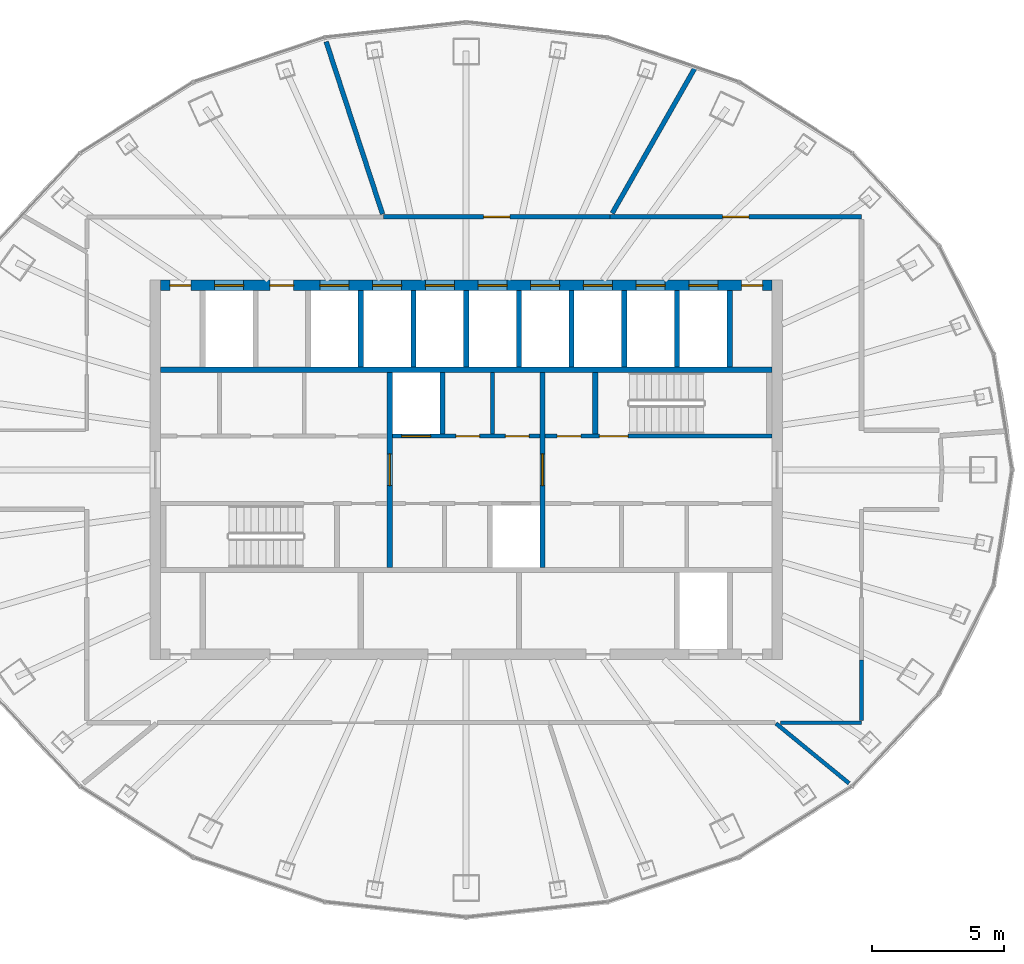
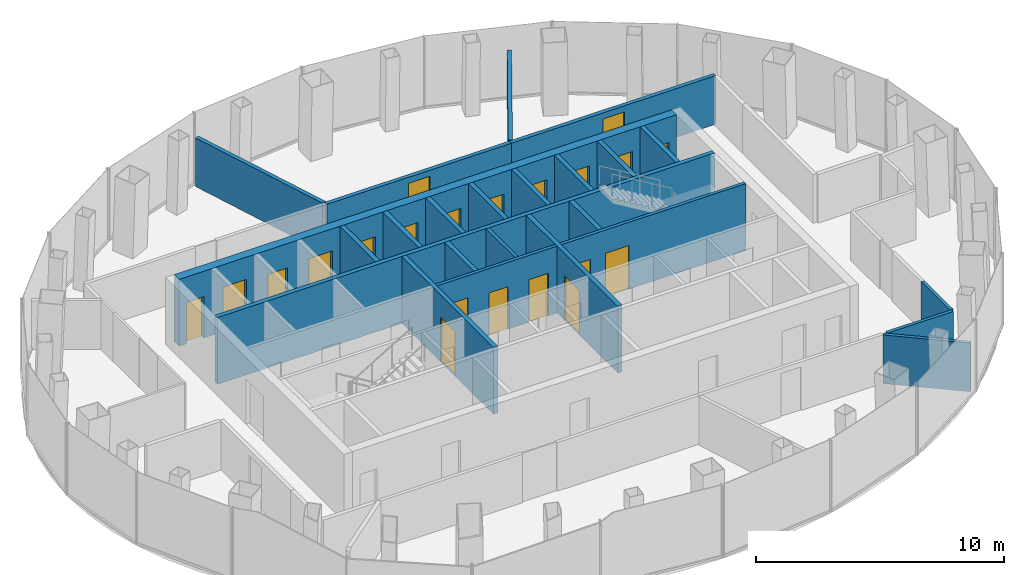
# One storey, part 9 of 11: 24 walls, 21 doors, 21 openings.
"""IFC4 building model written with IfcOpenShell, lengths in metres."""

from ifc_helpers import new_model, si_unit, direction, frame, frame_2d, origin, place, context, subcontext, project, spatial, rectangle, extrude, material, layer, layer_set, type_object, element, fill, save


model = new_model("IFC4")

# Units and contexts
model_context = context("Model", 3, precision=1e-05, world=origin(), true_north=direction((0.0, 1.0)))
body_context = subcontext(model_context, "Body", "Model", "MODEL_VIEW")
ifc_project = project(units=[si_unit("LENGTHUNIT", "METRE"), si_unit("AREAUNIT", "SQUARE_METRE"), si_unit("VOLUMEUNIT", "CUBIC_METRE"), si_unit("PLANEANGLEUNIT", "RADIAN"), si_unit("MASSUNIT", "GRAM", prefix="KILO")], contexts=[model_context])

# Site, building, storey
site_placement = place(None, origin())
site = spatial("IfcSite", under=ifc_project, at=site_placement, CompositionType="ELEMENT")
building_placement = place(site_placement, origin())
building = spatial("IfcBuilding", under=site, at=building_placement, Name="Siaravel Broadcast Tower", CompositionType="ELEMENT")
storey_placement = place(building_placement, frame((0.0, 0.0, 254.10009765625)))
storey = spatial("IfcBuildingStorey", under=building, at=storey_placement, Name="L62", CompositionType="ELEMENT", Elevation=254.10009765625)

# Wall
ifc_material_1 = material(Name="Concrete blockwork", Category="masonry")
ifc_layer_1 = layer(ifc_material_1, 0.14990234375)
ifc_layer_set_1 = layer_set([ifc_layer_1], Name="Concrete blockwork")
wall_type_1 = type_object("IfcWallType", Name="Core partition 150", PredefinedType="PARTITIONING", material=ifc_layer_set_1)
wall_1_placement = place(storey_placement, frame((1.0, 1.35009765625, 0.0), z_axis=(0.0, 0.0, 1.0), x_axis=(0.0, 1.0, 0.0)))
element("IfcWall", 1, at=wall_1_placement, inside=storey, type_object=wall_type_1, Name="L62 core partition PNM0", PredefinedType="PARTITIONING", context=body_context, shape_type="SweptSolid", body=[
    extrude(rectangle(XDim=2.349853515625, YDim=0.14990234375, at=frame_2d((1.1748046875, 0.0))), origin(), (0.0, 0.0, 1.0), 3.2998046875),
])

# Wall, openings, doors
ifc_material_2 = material(Name="Concrete C60/75", Category="concrete")
ifc_layer_2 = layer(ifc_material_2, 0.39990234375)
ifc_layer_set_2 = layer_set([ifc_layer_2], Name="Concrete C60/75")
wall_type_2 = type_object("IfcWallType", Name="Core wall 400", PredefinedType="SHEAR", material=ifc_layer_set_2)
wall_2_placement = place(storey_placement, frame((-11.60009765625, 7.0, 0.0), z_axis=(0.0, 0.0, 1.0), x_axis=(1.0, 0.0, 0.0)))
wall_2 = element("IfcWall", 2, at=wall_2_placement, inside=storey, type_object=wall_type_2, Name="L62 core wall ON", PredefinedType="SHEAR", context=body_context, shape_type="SweptSolid", body=[
    extrude(rectangle(XDim=23.2001953125, YDim=0.39990234375, at=frame_2d((11.60009765625, 0.0))), origin(), (0.0, 0.0, 1.0), 3.2998046875),
])
opening_1_placement = place(wall_2_placement, frame((2.050048828125, 0.0, 0.0)))
opening_1 = element("IfcOpeningElement", 3, at=opening_1_placement, cuts=wall_2, Name="Opening LD-SV2-L62", PredefinedType="OPENING", context=body_context, shape_type="SweptSolid", body=[
    extrude(rectangle(XDim=1.10009765625, YDim=2.199951171875, at=frame_2d((0.550048828125, 1.10009765625))), frame((0.0, 0.2099609375, 0.0), z_axis=(0.0, -1.0, 0.0), x_axis=(1.0, 0.0, 0.0)), (0.0, 0.0, 1.0), 0.419921875),
])
opening_2_placement = place(wall_2_placement, frame((6.050048828125, 0.0, 0.0)))
opening_2 = element("IfcOpeningElement", 4, at=opening_2_placement, cuts=wall_2, Name="Opening LD-HP1-L62", PredefinedType="OPENING", context=body_context, shape_type="SweptSolid", body=[
    extrude(rectangle(XDim=1.10009765625, YDim=2.199951171875, at=frame_2d((0.550048828125, 1.10009765625))), frame((0.0, 0.2099609375, 0.0), z_axis=(0.0, -1.0, 0.0), x_axis=(1.0, 0.0, 0.0)), (0.0, 0.0, 1.0), 0.419921875),
])
opening_3_placement = place(wall_2_placement, frame((8.050048828125, 0.0, 0.0)))
opening_3 = element("IfcOpeningElement", 5, at=opening_3_placement, cuts=wall_2, Name="Opening LD-HP2-L62", PredefinedType="OPENING", context=body_context, shape_type="SweptSolid", body=[
    extrude(rectangle(XDim=1.10009765625, YDim=2.199951171875, at=frame_2d((0.550048828125, 1.10009765625))), frame((0.0, 0.2099609375, 0.0), z_axis=(0.0, -1.0, 0.0), x_axis=(1.0, 0.0, 0.0)), (0.0, 0.0, 1.0), 0.419921875),
])
opening_4_placement = place(wall_2_placement, frame((10.050048828125, 0.0, 0.0)))
opening_4 = element("IfcOpeningElement", 6, at=opening_4_placement, cuts=wall_2, Name="Opening LD-HP3-L62", PredefinedType="OPENING", context=body_context, shape_type="SweptSolid", body=[
    extrude(rectangle(XDim=1.10009765625, YDim=2.199951171875, at=frame_2d((0.550048828125, 1.10009765625))), frame((0.0, 0.2099609375, 0.0), z_axis=(0.0, -1.0, 0.0), x_axis=(1.0, 0.0, 0.0)), (0.0, 0.0, 1.0), 0.419921875),
])
opening_5_placement = place(wall_2_placement, frame((12.050048828125, 0.0, 0.0)))
opening_5 = element("IfcOpeningElement", 7, at=opening_5_placement, cuts=wall_2, Name="Opening LD-HP4-L62", PredefinedType="OPENING", context=body_context, shape_type="SweptSolid", body=[
    extrude(rectangle(XDim=1.10009765625, YDim=2.199951171875, at=frame_2d((0.550048828125, 1.10009765625))), frame((0.0, 0.2099609375, 0.0), z_axis=(0.0, -1.0, 0.0), x_axis=(1.0, 0.0, 0.0)), (0.0, 0.0, 1.0), 0.419921875),
])
opening_6_placement = place(wall_2_placement, frame((14.050048828125, 0.0, 0.0)))
opening_6 = element("IfcOpeningElement", 8, at=opening_6_placement, cuts=wall_2, Name="Opening LD-HP5-L62", PredefinedType="OPENING", context=body_context, shape_type="SweptSolid", body=[
    extrude(rectangle(XDim=1.10009765625, YDim=2.199951171875, at=frame_2d((0.550048828125, 1.10009765625))), frame((0.0, 0.2099609375, 0.0), z_axis=(0.0, -1.0, 0.0), x_axis=(1.0, 0.0, 0.0)), (0.0, 0.0, 1.0), 0.419921875),
])
opening_7_placement = place(wall_2_placement, frame((16.050048828125, 0.0, 0.0)))
opening_7 = element("IfcOpeningElement", 9, at=opening_7_placement, cuts=wall_2, Name="Opening LD-HP6-L62", PredefinedType="OPENING", context=body_context, shape_type="SweptSolid", body=[
    extrude(rectangle(XDim=1.10009765625, YDim=2.199951171875, at=frame_2d((0.550048828125, 1.10009765625))), frame((0.0, 0.2099609375, 0.0), z_axis=(0.0, -1.0, 0.0), x_axis=(1.0, 0.0, 0.0)), (0.0, 0.0, 1.0), 0.419921875),
])
opening_8_placement = place(wall_2_placement, frame((18.050048828125, 0.0, 0.0)))
opening_8 = element("IfcOpeningElement", 10, at=opening_8_placement, cuts=wall_2, Name="Opening LD-HP7-L62", PredefinedType="OPENING", context=body_context, shape_type="SweptSolid", body=[
    extrude(rectangle(XDim=1.10009765625, YDim=2.199951171875, at=frame_2d((0.550048828125, 1.10009765625))), frame((0.0, 0.2099609375, 0.0), z_axis=(0.0, -1.0, 0.0), x_axis=(1.0, 0.0, 0.0)), (0.0, 0.0, 1.0), 0.419921875),
])
opening_9_placement = place(wall_2_placement, frame((20.050048828125, 0.0, 0.0)))
opening_9 = element("IfcOpeningElement", 11, at=opening_9_placement, cuts=wall_2, Name="Opening LD-HP8-L62", PredefinedType="OPENING", context=body_context, shape_type="SweptSolid", body=[
    extrude(rectangle(XDim=1.10009765625, YDim=2.199951171875, at=frame_2d((0.550048828125, 1.10009765625))), frame((0.0, 0.2099609375, 0.0), z_axis=(0.0, -1.0, 0.0), x_axis=(1.0, 0.0, 0.0)), (0.0, 0.0, 1.0), 0.419921875),
])
opening_10_placement = place(wall_2_placement, frame((4.14990234375, 0.0, 0.0)))
opening_10 = element("IfcOpeningElement", 12, at=opening_10_placement, cuts=wall_2, Name="Opening L62-DFN1", PredefinedType="OPENING", context=body_context, shape_type="SweptSolid", body=[
    extrude(rectangle(XDim=0.89990234375, YDim=2.10009765625, at=frame_2d((0.449951171875, 1.050048828125))), frame((0.0, 0.2099609375, 0.0), z_axis=(0.0, -1.0, 0.0), x_axis=(1.0, 0.0, 0.0)), (0.0, 0.0, 1.0), 0.419921875),
])
opening_11_placement = place(wall_2_placement, frame((0.35009765625, 0.0, 0.0)))
opening_11 = element("IfcOpeningElement", 13, at=opening_11_placement, cuts=wall_2, Name="Opening L62-DRNW", PredefinedType="OPENING", context=body_context, shape_type="SweptSolid", body=[
    extrude(rectangle(XDim=0.800048828125, YDim=2.050048828125, at=frame_2d((0.39990234375, 1.02490234375))), frame((0.0, 0.2099609375, 0.0), z_axis=(0.0, -1.0, 0.0), x_axis=(1.0, 0.0, 0.0)), (0.0, 0.0, 1.0), 0.419921875),
])
opening_12_placement = place(wall_2_placement, frame((22.050048828125, 0.0, 0.0)))
opening_12 = element("IfcOpeningElement", 14, at=opening_12_placement, cuts=wall_2, Name="Opening L62-DRNE", PredefinedType="OPENING", context=body_context, shape_type="SweptSolid", body=[
    extrude(rectangle(XDim=0.800048828125, YDim=2.050048828125, at=frame_2d((0.39990234375, 1.02490234375))), frame((0.0, 0.2099609375, 0.0), z_axis=(0.0, -1.0, 0.0), x_axis=(1.0, 0.0, 0.0)), (0.0, 0.0, 1.0), 0.419921875),
])
ifc_material_3 = material(Name="Timber veneer", Category="wood")
door_type_1 = type_object("IfcDoorType", Name="Core room door 900", OperationType="SINGLE_SWING_LEFT", PredefinedType="DOOR", material=ifc_material_3)
door_1_placement = place(opening_10_placement, origin())
door_1 = element("IfcDoor", 15, at=door_1_placement, inside=storey, type_object=door_type_1, Name="L62 door DFN1", OperationType="SINGLE_SWING_LEFT", OverallHeight=2.10009765625, OverallWidth=0.89990234375, PredefinedType="DOOR", context=body_context, shape_type="SweptSolid", body=[
    extrude(rectangle(XDim=0.89990234375, YDim=2.10009765625, at=frame_2d((0.449951171875, 1.050048828125))), frame((0.0, 0.02490234375, 0.0), z_axis=(0.0, -1.0, 0.0), x_axis=(1.0, 0.0, 0.0)), (0.0, 0.0, 1.0), 0.050048828125),
])
fill(opening_10, door_1)
ifc_material_4 = material(Name="Stainless steel 316L", Category="steel")
door_type_2 = type_object("IfcDoorType", Name="Lift landing door 1100", OperationType="DOUBLE_DOOR_SLIDING", PredefinedType="DOOR", material=ifc_material_4)
door_2_placement = place(opening_2_placement, origin())
door_2 = element("IfcDoor", 16, at=door_2_placement, inside=storey, type_object=door_type_2, Name="Landing door HP1 L62", OperationType="DOUBLE_DOOR_SLIDING", OverallHeight=2.199951171875, OverallWidth=1.10009765625, PredefinedType="DOOR", context=body_context, shape_type="SweptSolid", body=[
    extrude(rectangle(XDim=1.10009765625, YDim=2.199951171875, at=frame_2d((0.550048828125, 1.10009765625))), frame((0.0, 0.02490234375, 0.0), z_axis=(0.0, -1.0, 0.0), x_axis=(1.0, 0.0, 0.0)), (0.0, 0.0, 1.0), 0.050048828125),
])
fill(opening_2, door_2)
door_3_placement = place(opening_3_placement, origin())
door_3 = element("IfcDoor", 17, at=door_3_placement, inside=storey, type_object=door_type_2, Name="Landing door HP2 L62", OperationType="DOUBLE_DOOR_SLIDING", OverallHeight=2.199951171875, OverallWidth=1.10009765625, PredefinedType="DOOR", context=body_context, shape_type="SweptSolid", body=[
    extrude(rectangle(XDim=1.10009765625, YDim=2.199951171875, at=frame_2d((0.550048828125, 1.10009765625))), frame((0.0, 0.02490234375, 0.0), z_axis=(0.0, -1.0, 0.0), x_axis=(1.0, 0.0, 0.0)), (0.0, 0.0, 1.0), 0.050048828125),
])
fill(opening_3, door_3)
door_4_placement = place(opening_4_placement, origin())
door_4 = element("IfcDoor", 18, at=door_4_placement, inside=storey, type_object=door_type_2, Name="Landing door HP3 L62", OperationType="DOUBLE_DOOR_SLIDING", OverallHeight=2.199951171875, OverallWidth=1.10009765625, PredefinedType="DOOR", context=body_context, shape_type="SweptSolid", body=[
    extrude(rectangle(XDim=1.10009765625, YDim=2.199951171875, at=frame_2d((0.550048828125, 1.10009765625))), frame((0.0, 0.02490234375, 0.0), z_axis=(0.0, -1.0, 0.0), x_axis=(1.0, 0.0, 0.0)), (0.0, 0.0, 1.0), 0.050048828125),
])
fill(opening_4, door_4)
door_5_placement = place(opening_5_placement, origin())
door_5 = element("IfcDoor", 19, at=door_5_placement, inside=storey, type_object=door_type_2, Name="Landing door HP4 L62", OperationType="DOUBLE_DOOR_SLIDING", OverallHeight=2.199951171875, OverallWidth=1.10009765625, PredefinedType="DOOR", context=body_context, shape_type="SweptSolid", body=[
    extrude(rectangle(XDim=1.10009765625, YDim=2.199951171875, at=frame_2d((0.550048828125, 1.10009765625))), frame((0.0, 0.02490234375, 0.0), z_axis=(0.0, -1.0, 0.0), x_axis=(1.0, 0.0, 0.0)), (0.0, 0.0, 1.0), 0.050048828125),
])
fill(opening_5, door_5)
door_6_placement = place(opening_6_placement, origin())
door_6 = element("IfcDoor", 20, at=door_6_placement, inside=storey, type_object=door_type_2, Name="Landing door HP5 L62", OperationType="DOUBLE_DOOR_SLIDING", OverallHeight=2.199951171875, OverallWidth=1.10009765625, PredefinedType="DOOR", context=body_context, shape_type="SweptSolid", body=[
    extrude(rectangle(XDim=1.10009765625, YDim=2.199951171875, at=frame_2d((0.550048828125, 1.10009765625))), frame((0.0, 0.02490234375, 0.0), z_axis=(0.0, -1.0, 0.0), x_axis=(1.0, 0.0, 0.0)), (0.0, 0.0, 1.0), 0.050048828125),
])
fill(opening_6, door_6)
door_7_placement = place(opening_7_placement, origin())
door_7 = element("IfcDoor", 21, at=door_7_placement, inside=storey, type_object=door_type_2, Name="Landing door HP6 L62", OperationType="DOUBLE_DOOR_SLIDING", OverallHeight=2.199951171875, OverallWidth=1.10009765625, PredefinedType="DOOR", context=body_context, shape_type="SweptSolid", body=[
    extrude(rectangle(XDim=1.10009765625, YDim=2.199951171875, at=frame_2d((0.550048828125, 1.10009765625))), frame((0.0, 0.02490234375, 0.0), z_axis=(0.0, -1.0, 0.0), x_axis=(1.0, 0.0, 0.0)), (0.0, 0.0, 1.0), 0.050048828125),
])
fill(opening_7, door_7)
door_8_placement = place(opening_8_placement, origin())
door_8 = element("IfcDoor", 22, at=door_8_placement, inside=storey, type_object=door_type_2, Name="Landing door HP7 L62", OperationType="DOUBLE_DOOR_SLIDING", OverallHeight=2.199951171875, OverallWidth=1.10009765625, PredefinedType="DOOR", context=body_context, shape_type="SweptSolid", body=[
    extrude(rectangle(XDim=1.10009765625, YDim=2.199951171875, at=frame_2d((0.550048828125, 1.10009765625))), frame((0.0, 0.02490234375, 0.0), z_axis=(0.0, -1.0, 0.0), x_axis=(1.0, 0.0, 0.0)), (0.0, 0.0, 1.0), 0.050048828125),
])
fill(opening_8, door_8)
door_9_placement = place(opening_9_placement, origin())
door_9 = element("IfcDoor", 23, at=door_9_placement, inside=storey, type_object=door_type_2, Name="Landing door HP8 L62", OperationType="DOUBLE_DOOR_SLIDING", OverallHeight=2.199951171875, OverallWidth=1.10009765625, PredefinedType="DOOR", context=body_context, shape_type="SweptSolid", body=[
    extrude(rectangle(XDim=1.10009765625, YDim=2.199951171875, at=frame_2d((0.550048828125, 1.10009765625))), frame((0.0, 0.02490234375, 0.0), z_axis=(0.0, -1.0, 0.0), x_axis=(1.0, 0.0, 0.0)), (0.0, 0.0, 1.0), 0.050048828125),
])
fill(opening_9, door_9)
ifc_material_5 = material(Name="Steel", Category="steel")
door_type_3 = type_object("IfcDoorType", Name="Riser door 800", OperationType="SINGLE_SWING_LEFT", PredefinedType="DOOR", material=ifc_material_5)
door_10_placement = place(opening_11_placement, origin())
door_10 = element("IfcDoor", 24, at=door_10_placement, inside=storey, type_object=door_type_3, Name="L62 door DRNW", OperationType="SINGLE_SWING_LEFT", OverallHeight=2.050048828125, OverallWidth=0.800048828125, PredefinedType="DOOR", context=body_context, shape_type="SweptSolid", body=[
    extrude(rectangle(XDim=0.800048828125, YDim=2.050048828125, at=frame_2d((0.39990234375, 1.02490234375))), frame((0.0, 0.02490234375, 0.0), z_axis=(0.0, -1.0, 0.0), x_axis=(1.0, 0.0, 0.0)), (0.0, 0.0, 1.0), 0.050048828125),
])
fill(opening_11, door_10)
door_11_placement = place(opening_12_placement, origin())
door_11 = element("IfcDoor", 25, at=door_11_placement, inside=storey, type_object=door_type_3, Name="L62 door DRNE", OperationType="SINGLE_SWING_LEFT", OverallHeight=2.050048828125, OverallWidth=0.800048828125, PredefinedType="DOOR", context=body_context, shape_type="SweptSolid", body=[
    extrude(rectangle(XDim=0.800048828125, YDim=2.050048828125, at=frame_2d((0.39990234375, 1.02490234375))), frame((0.0, 0.02490234375, 0.0), z_axis=(0.0, -1.0, 0.0), x_axis=(1.0, 0.0, 0.0)), (0.0, 0.0, 1.0), 0.050048828125),
])
fill(opening_12, door_11)
door_type_4 = type_object("IfcDoorType", Name="Service lift landing door 1100", OperationType="DOUBLE_DOOR_SLIDING", PredefinedType="DOOR", material=ifc_material_4)
door_12_placement = place(opening_1_placement, origin())
door_12 = element("IfcDoor", 26, at=door_12_placement, inside=storey, type_object=door_type_4, Name="Landing door SV2 L62", OperationType="DOUBLE_DOOR_SLIDING", OverallHeight=2.199951171875, OverallWidth=1.10009765625, PredefinedType="DOOR", context=body_context, shape_type="SweptSolid", body=[
    extrude(rectangle(XDim=1.10009765625, YDim=2.199951171875, at=frame_2d((0.550048828125, 1.10009765625))), frame((0.0, 0.02490234375, 0.0), z_axis=(0.0, -1.0, 0.0), x_axis=(1.0, 0.0, 0.0)), (0.0, 0.0, 1.0), 0.050048828125),
])
fill(opening_1, door_12)

# Walls
ifc_material_6 = material(Name="Gypsum board partition", Category="gypsum")
ifc_layer_3 = layer(ifc_material_6, 0.14990234375)
ifc_layer_set_3 = layer_set([ifc_layer_3], Name="Gypsum board partition")
wall_type_3 = type_object("IfcWallType", Name="Corridor wall 150", PredefinedType="PARTITIONING", material=ifc_layer_set_3)
wall_3_placement = place(storey_placement, frame((11.9375, -9.60205078125, 0.0), z_axis=(0.0, 0.0, 1.0), x_axis=(1.0, 0.0, 0.0)))
element("IfcWall", 27, at=wall_3_placement, inside=storey, type_object=wall_type_3, Name="L62 partition 17", PredefinedType="PARTITIONING", context=body_context, shape_type="SweptSolid", body=[
    extrude(rectangle(XDim=3.064453125, YDim=0.14990234375, at=frame_2d((1.5322265625, 0.0))), origin(), (0.0, 0.0, 1.0), 2.39990234375),
])
wall_4_placement = place(storey_placement, frame((15.001953125, -9.52490234375, 0.0), z_axis=(0.0, 0.0, 1.0), x_axis=(0.0, 1.0, 0.0)))
element("IfcWall", 28, at=wall_4_placement, inside=storey, type_object=wall_type_3, Name="L62 partition 23", PredefinedType="PARTITIONING", context=body_context, shape_type="SweptSolid", body=[
    extrude(rectangle(XDim=2.31201171875, YDim=0.14990234375, at=frame_2d((1.156005859375, 0.0))), origin(), (0.0, 0.0, 1.0), 2.39990234375),
])
ifc_layer_4 = layer(ifc_material_6, 0.14990234375)
ifc_layer_set_4 = layer_set([ifc_layer_4], Name="Gypsum board partition")
wall_type_4 = type_object("IfcWallType", Name="Room partition 150", PredefinedType="PARTITIONING", material=ifc_layer_set_4)
wall_5_placement = place(storey_placement, frame((14.531494140625, -11.900390625, 0.0), z_axis=(0.0, 0.0, 1.0), x_axis=(-0.773611109, 0.633660676, 0.0)))
element("IfcWall", 29, at=wall_5_placement, inside=storey, type_object=wall_type_4, Name="L62 partition 14", PredefinedType="PARTITIONING", context=body_context, shape_type="SweptSolid", body=[
    extrude(rectangle(XDim=3.583251953125, YDim=0.14990234375, at=frame_2d((1.79150390625, 0.0))), origin(), (0.0, 0.0, 1.0), 2.39990234375),
])

# Wall, opening, door
ifc_layer_5 = layer(ifc_material_1, 0.179931640625)
ifc_layer_set_5 = layer_set([ifc_layer_5], Name="Concrete blockwork")
wall_type_5 = type_object("IfcWallType", Name="Service room fire partition 180", PredefinedType="PARTITIONING", material=ifc_layer_set_5)
wall_6_placement = place(storey_placement, frame((15.0, 9.60009765625, 0.0), z_axis=(0.0, 0.0, 1.0), x_axis=(-1.0, 0.0, 0.0)))
wall_6 = element("IfcWall", 30, at=wall_6_placement, inside=storey, type_object=wall_type_5, Name="L62 partition 3", PredefinedType="PARTITIONING", context=body_context, shape_type="SweptSolid", body=[
    extrude(rectangle(XDim=9.534912109375, YDim=0.179931640625, at=frame_2d((4.767578125, 0.0))), origin(), (0.0, 0.0, 1.0), 2.39990234375),
])
opening_13_placement = place(wall_6_placement, frame((4.267333984375, 0.0, 0.0)))
opening_13 = element("IfcOpeningElement", 31, at=opening_13_placement, cuts=wall_6, Name="Opening L62-005", PredefinedType="OPENING", context=body_context, shape_type="SweptSolid", body=[
    extrude(rectangle(XDim=1.0, YDim=2.10009765625, at=frame_2d((0.5, 1.050048828125))), frame((0.0, 0.099853515625, 0.0), z_axis=(0.0, -1.0, 0.0), x_axis=(1.0, 0.0, 0.0)), (0.0, 0.0, 1.0), 0.199951171875),
])
door_type_5 = type_object("IfcDoorType", Name="Service room door 1000", OperationType="SINGLE_SWING_LEFT", PredefinedType="DOOR", material=ifc_material_5)
door_13_placement = place(opening_13_placement, origin())
door_13 = element("IfcDoor", 32, at=door_13_placement, inside=storey, type_object=door_type_5, Name="L62 door to Library", OperationType="SINGLE_SWING_LEFT", OverallHeight=2.10009765625, OverallWidth=1.0, PredefinedType="DOOR", context=body_context, shape_type="SweptSolid", body=[
    extrude(rectangle(XDim=1.0, YDim=2.10009765625, at=frame_2d((0.5, 1.050048828125))), frame((0.0, 0.02490234375, 0.0), z_axis=(0.0, -1.0, 0.0), x_axis=(1.0, 0.0, 0.0)), (0.0, 0.0, 1.0), 0.050048828125),
])
fill(opening_13, door_13)

wall_7_placement = place(storey_placement, frame((5.464111328125, 9.60009765625, 0.0), z_axis=(0.0, 0.0, 1.0), x_axis=(-1.0, 0.0, 0.0)))
wall_7 = element("IfcWall", 33, at=wall_7_placement, inside=storey, type_object=wall_type_5, Name="L62 partition 4", PredefinedType="PARTITIONING", context=body_context, shape_type="SweptSolid", body=[
    extrude(rectangle(XDim=8.6044921875, YDim=0.179931640625, at=frame_2d((4.30224609375, 0.0))), origin(), (0.0, 0.0, 1.0), 2.39990234375),
])
opening_14_placement = place(wall_7_placement, frame((3.80224609375, 0.0, 0.0)))
opening_14 = element("IfcOpeningElement", 34, at=opening_14_placement, cuts=wall_7, Name="Opening L62-006", PredefinedType="OPENING", context=body_context, shape_type="SweptSolid", body=[
    extrude(rectangle(XDim=1.0, YDim=2.10009765625, at=frame_2d((0.5, 1.050048828125))), frame((0.0, 0.099853515625, 0.0), z_axis=(0.0, -1.0, 0.0), x_axis=(1.0, 0.0, 0.0)), (0.0, 0.0, 1.0), 0.199951171875),
])
door_14_placement = place(opening_14_placement, origin())
door_14 = element("IfcDoor", 35, at=door_14_placement, inside=storey, type_object=door_type_5, Name="L62 door to Library", OperationType="SINGLE_SWING_RIGHT", OverallHeight=2.10009765625, OverallWidth=1.0, PredefinedType="DOOR", context=body_context, shape_type="SweptSolid", body=[
    extrude(rectangle(XDim=1.0, YDim=2.10009765625, at=frame_2d((0.5, 1.050048828125))), frame((0.0, 0.02490234375, 0.0), z_axis=(0.0, -1.0, 0.0), x_axis=(1.0, 0.0, 0.0)), (0.0, 0.0, 1.0), 0.050048828125),
])
fill(opening_14, door_14)

# Walls
wall_8_placement = place(storey_placement, frame((-5.31591796875, 16.250732421875, 0.0), z_axis=(0.0, 0.0, 1.0), x_axis=(0.3108842, -0.950447797, 0.0)))
element("IfcWall", 36, at=wall_8_placement, inside=storey, type_object=wall_type_5, Name="L62 partition 6", PredefinedType="PARTITIONING", context=body_context, shape_type="SweptSolid", body=[
    extrude(rectangle(XDim=6.88720703125, YDim=0.179931640625, at=frame_2d((3.443603515625, 0.0))), origin(), (0.0, 0.0, 1.0), 2.39990234375),
])
wall_9_placement = place(storey_placement, frame((8.680908203125, 15.24853515625, 0.0), z_axis=(0.0, 0.0, 1.0), x_axis=(-0.494753842, -0.869033161, 0.0)))
element("IfcWall", 37, at=wall_9_placement, inside=storey, type_object=wall_type_5, Name="L62 partition 8", PredefinedType="PARTITIONING", context=body_context, shape_type="SweptSolid", body=[
    extrude(rectangle(XDim=6.343017578125, YDim=0.179931640625, at=frame_2d((3.17138671875, 0.0))), origin(), (0.0, 0.0, 1.0), 2.39990234375),
])

# Wall, openings, doors
ifc_layer_6 = layer(ifc_material_2, 0.14990234375)
ifc_layer_set_6 = layer_set([ifc_layer_6], Name="Concrete C60/75")
wall_type_6 = type_object("IfcWallType", Name="Shaft wall 150", PredefinedType="SHEAR", material=ifc_layer_set_6)
wall_10_placement = place(storey_placement, frame((-2.800048828125, 1.27490234375, 0.0), z_axis=(0.0, 0.0, 1.0), x_axis=(1.0, 0.0, 0.0)))
wall_10 = element("IfcWall", 38, at=wall_10_placement, inside=storey, type_object=wall_type_6, Name="L62 core wall CNM", PredefinedType="SHEAR", context=body_context, shape_type="SweptSolid", body=[
    extrude(rectangle(XDim=5.60009765625, YDim=0.14990234375, at=frame_2d((2.800048828125, 0.0))), origin(), (0.0, 0.0, 1.0), 3.2998046875),
])
opening_15_placement = place(wall_10_placement, frame((0.35009765625, 0.0, 0.0)))
opening_15 = element("IfcOpeningElement", 39, at=opening_15_placement, cuts=wall_10, Name="Opening LD-FL1-L62", PredefinedType="OPENING", context=body_context, shape_type="SweptSolid", body=[
    extrude(rectangle(XDim=1.10009765625, YDim=2.199951171875, at=frame_2d((0.550048828125, 1.10009765625))), frame((0.0, 0.0849609375, 0.0), z_axis=(0.0, -1.0, 0.0), x_axis=(1.0, 0.0, 0.0)), (0.0, 0.0, 1.0), 0.169921875),
])
opening_16_placement = place(wall_10_placement, frame((2.41259765625, 0.0, 0.0)))
opening_16 = element("IfcOpeningElement", 40, at=opening_16_placement, cuts=wall_10, Name="Opening L62-DNM0", PredefinedType="OPENING", context=body_context, shape_type="SweptSolid", body=[
    extrude(rectangle(XDim=0.89990234375, YDim=2.10009765625, at=frame_2d((0.449951171875, 1.050048828125))), frame((0.0, 0.0849609375, 0.0), z_axis=(0.0, -1.0, 0.0), x_axis=(1.0, 0.0, 0.0)), (0.0, 0.0, 1.0), 0.169921875),
])
opening_17_placement = place(wall_10_placement, frame((4.28759765625, 0.0, 0.0)))
opening_17 = element("IfcOpeningElement", 41, at=opening_17_placement, cuts=wall_10, Name="Opening L62-DNM1", PredefinedType="OPENING", context=body_context, shape_type="SweptSolid", body=[
    extrude(rectangle(XDim=0.89990234375, YDim=2.10009765625, at=frame_2d((0.449951171875, 1.050048828125))), frame((0.0, 0.0849609375, 0.0), z_axis=(0.0, -1.0, 0.0), x_axis=(1.0, 0.0, 0.0)), (0.0, 0.0, 1.0), 0.169921875),
])
door_15_placement = place(opening_16_placement, origin())
door_15 = element("IfcDoor", 42, at=door_15_placement, inside=storey, type_object=door_type_1, Name="L62 door DNM0", OperationType="SINGLE_SWING_LEFT", OverallHeight=2.10009765625, OverallWidth=0.89990234375, PredefinedType="DOOR", context=body_context, shape_type="SweptSolid", body=[
    extrude(rectangle(XDim=0.89990234375, YDim=2.10009765625, at=frame_2d((0.449951171875, 1.050048828125))), frame((0.0, 0.02490234375, 0.0), z_axis=(0.0, -1.0, 0.0), x_axis=(1.0, 0.0, 0.0)), (0.0, 0.0, 1.0), 0.050048828125),
])
fill(opening_16, door_15)
door_16_placement = place(opening_17_placement, origin())
door_16 = element("IfcDoor", 43, at=door_16_placement, inside=storey, type_object=door_type_1, Name="L62 door DNM1", OperationType="SINGLE_SWING_LEFT", OverallHeight=2.10009765625, OverallWidth=0.89990234375, PredefinedType="DOOR", context=body_context, shape_type="SweptSolid", body=[
    extrude(rectangle(XDim=0.89990234375, YDim=2.10009765625, at=frame_2d((0.449951171875, 1.050048828125))), frame((0.0, 0.02490234375, 0.0), z_axis=(0.0, -1.0, 0.0), x_axis=(1.0, 0.0, 0.0)), (0.0, 0.0, 1.0), 0.050048828125),
])
fill(opening_17, door_16)
door_type_6 = type_object("IfcDoorType", Name="Firefighting lift landing door 1100", OperationType="DOUBLE_DOOR_SLIDING", PredefinedType="DOOR", material=ifc_material_4)
door_17_placement = place(opening_15_placement, origin())
door_17 = element("IfcDoor", 44, at=door_17_placement, inside=storey, type_object=door_type_6, Name="Landing door FL1 L62", OperationType="DOUBLE_DOOR_SLIDING", OverallHeight=2.199951171875, OverallWidth=1.10009765625, PredefinedType="DOOR", context=body_context, shape_type="SweptSolid", body=[
    extrude(rectangle(XDim=1.10009765625, YDim=2.199951171875, at=frame_2d((0.550048828125, 1.10009765625))), frame((0.0, 0.02490234375, 0.0), z_axis=(0.0, -1.0, 0.0), x_axis=(1.0, 0.0, 0.0)), (0.0, 0.0, 1.0), 0.050048828125),
])
fill(opening_15, door_17)

wall_11_placement = place(storey_placement, frame((3.0, 1.27490234375, 0.0), z_axis=(0.0, 0.0, 1.0), x_axis=(1.0, 0.0, 0.0)))
wall_11 = element("IfcWall", 45, at=wall_11_placement, inside=storey, type_object=wall_type_6, Name="L62 core wall CNE", PredefinedType="SHEAR", context=body_context, shape_type="SweptSolid", body=[
    extrude(rectangle(XDim=8.60009765625, YDim=0.14990234375, at=frame_2d((4.300048828125, 0.0))), origin(), (0.0, 0.0, 1.0), 3.2998046875),
])
opening_18_placement = place(wall_11_placement, frame((2.050048828125, 0.0, 0.0)))
opening_18 = element("IfcOpeningElement", 46, at=opening_18_placement, cuts=wall_11, Name="Opening L62-DS-2", PredefinedType="OPENING", context=body_context, shape_type="SweptSolid", body=[
    extrude(rectangle(XDim=1.10009765625, YDim=2.14990234375, at=frame_2d((0.550048828125, 1.074951171875))), frame((0.0, 0.0849609375, 0.0), z_axis=(0.0, -1.0, 0.0), x_axis=(1.0, 0.0, 0.0)), (0.0, 0.0, 1.0), 0.169921875),
])
opening_19_placement = place(wall_11_placement, frame((0.449951171875, 0.0, 0.0)))
opening_19 = element("IfcOpeningElement", 47, at=opening_19_placement, cuts=wall_11, Name="Opening L62-DNE0", PredefinedType="OPENING", context=body_context, shape_type="SweptSolid", body=[
    extrude(rectangle(XDim=0.89990234375, YDim=2.10009765625, at=frame_2d((0.449951171875, 1.050048828125))), frame((0.0, 0.0849609375, 0.0), z_axis=(0.0, -1.0, 0.0), x_axis=(1.0, 0.0, 0.0)), (0.0, 0.0, 1.0), 0.169921875),
])
door_18_placement = place(opening_19_placement, origin())
door_18 = element("IfcDoor", 48, at=door_18_placement, inside=storey, type_object=door_type_1, Name="L62 door DNE0", OperationType="SINGLE_SWING_LEFT", OverallHeight=2.10009765625, OverallWidth=0.89990234375, PredefinedType="DOOR", context=body_context, shape_type="SweptSolid", body=[
    extrude(rectangle(XDim=0.89990234375, YDim=2.10009765625, at=frame_2d((0.449951171875, 1.050048828125))), frame((0.0, 0.02490234375, 0.0), z_axis=(0.0, -1.0, 0.0), x_axis=(1.0, 0.0, 0.0)), (0.0, 0.0, 1.0), 0.050048828125),
])
fill(opening_19, door_18)
door_type_7 = type_object("IfcDoorType", Name="Stair door 1100", OperationType="SINGLE_SWING_LEFT", PredefinedType="DOOR", material=ifc_material_5)
door_19_placement = place(opening_18_placement, origin())
door_19 = element("IfcDoor", 49, at=door_19_placement, inside=storey, type_object=door_type_7, Name="L62 door DS-2", OperationType="SINGLE_SWING_LEFT", OverallHeight=2.14990234375, OverallWidth=1.10009765625, PredefinedType="DOOR", context=body_context, shape_type="SweptSolid", body=[
    extrude(rectangle(XDim=1.10009765625, YDim=2.14990234375, at=frame_2d((0.550048828125, 1.074951171875))), frame((0.0, 0.02490234375, 0.0), z_axis=(0.0, -1.0, 0.0), x_axis=(1.0, 0.0, 0.0)), (0.0, 0.0, 1.0), 0.050048828125),
])
fill(opening_18, door_19)

# Walls
ifc_layer_7 = layer(ifc_material_2, 0.199951171875)
ifc_layer_set_7 = layer_set([ifc_layer_7], Name="Concrete C60/75")
wall_type_7 = type_object("IfcWallType", Name="Shaft wall 200", PredefinedType="SHEAR", material=ifc_layer_set_7)
wall_12_placement = place(storey_placement, frame((-11.60009765625, 3.800048828125, 0.0), z_axis=(0.0, 0.0, 1.0), x_axis=(1.0, 0.0, 0.0)))
element("IfcWall", 50, at=wall_12_placement, inside=storey, type_object=wall_type_7, Name="L62 core wall BN", PredefinedType="SHEAR", context=body_context, shape_type="SweptSolid", body=[
    extrude(rectangle(XDim=23.2001953125, YDim=0.199951171875, at=frame_2d((11.60009765625, 0.0))), origin(), (0.0, 0.0, 1.0), 3.2998046875),
])
for number, where, z_axis, x_axis, name in (
    (51, (-4.0, 3.89990234375, 0.0), (0.0, 0.0, 1.0), (0.0, 1.0, 0.0), "L62 core wall SWN3"),
    (52, (-2.0, 3.89990234375, 0.0), (0.0, 0.0, 1.0), (0.0, 1.0, 0.0), "L62 core wall SWN4"),
    (53, (0.0, 3.89990234375, 0.0), (0.0, 0.0, 1.0), (0.0, 1.0, 0.0), "L62 core wall SWN5"),
    (54, (2.0, 3.89990234375, 0.0), (0.0, 0.0, 1.0), (0.0, 1.0, 0.0), "L62 core wall SWN6"),
    (55, (4.0, 3.89990234375, 0.0), (0.0, 0.0, 1.0), (0.0, 1.0, 0.0), "L62 core wall SWN7"),
    (56, (6.0, 3.89990234375, 0.0), (0.0, 0.0, 1.0), (0.0, 1.0, 0.0), "L62 core wall SWN8"),
    (57, (8.0, 3.89990234375, 0.0), (0.0, 0.0, 1.0), (0.0, 1.0, 0.0), "L62 core wall SWN9"),
    (58, (10.0, 3.89990234375, 0.0), (0.0, 0.0, 1.0), (0.0, 1.0, 0.0), "L62 core wall SWN10"),
):
    element("IfcWall", number, at=place(storey_placement, frame(where, z_axis=z_axis, x_axis=x_axis)), inside=storey, type_object=wall_type_7, Name=name, PredefinedType="SHEAR", context=body_context, shape_type="SweptSolid", body=[
        extrude(rectangle(XDim=2.900146484375, YDim=0.199951171875, at=frame_2d((1.4501953125, 0.0))), origin(), (0.0, 0.0, 1.0), 3.2998046875),
    ])

# Wall, opening, door
wall_13_placement = place(storey_placement, frame((-2.89990234375, -3.699951171875, 0.0), z_axis=(0.0, 0.0, 1.0), x_axis=(0.0, 1.0, 0.0)))
wall_13 = element("IfcWall", 59, at=wall_13_placement, inside=storey, type_object=wall_type_7, Name="L62 core wall LW", PredefinedType="SHEAR", context=body_context, shape_type="SweptSolid", body=[
    extrude(rectangle(XDim=7.39990234375, YDim=0.199951171875, at=frame_2d((3.699951171875, 0.0))), origin(), (0.0, 0.0, 1.0), 3.2998046875),
])
opening_20_placement = place(wall_13_placement, frame((3.10009765625, 0.0, 0.0)))
opening_20 = element("IfcOpeningElement", 60, at=opening_20_placement, cuts=wall_13, Name="Opening L62-DL-W", PredefinedType="OPENING", context=body_context, shape_type="SweptSolid", body=[
    extrude(rectangle(XDim=1.199951171875, YDim=2.199951171875, at=frame_2d((0.60009765625, 1.10009765625))), frame((0.0, 0.10986328125, 0.0), z_axis=(0.0, -1.0, 0.0), x_axis=(1.0, 0.0, 0.0)), (0.0, 0.0, 1.0), 0.219970703125),
])
door_type_8 = type_object("IfcDoorType", Name="Firefighting lobby door 1200", OperationType="SINGLE_SWING_LEFT", PredefinedType="DOOR", material=ifc_material_5)
door_20_placement = place(opening_20_placement, origin())
door_20 = element("IfcDoor", 61, at=door_20_placement, inside=storey, type_object=door_type_8, Name="L62 door DL-W", OperationType="SINGLE_SWING_LEFT", OverallHeight=2.199951171875, OverallWidth=1.199951171875, PredefinedType="DOOR", context=body_context, shape_type="SweptSolid", body=[
    extrude(rectangle(XDim=1.199951171875, YDim=2.199951171875, at=frame_2d((0.60009765625, 1.10009765625))), frame((0.0, 0.02490234375, 0.0), z_axis=(0.0, -1.0, 0.0), x_axis=(1.0, 0.0, 0.0)), (0.0, 0.0, 1.0), 0.050048828125),
])
fill(opening_20, door_20)

wall_14_placement = place(storey_placement, frame((2.89990234375, -3.699951171875, 0.0), z_axis=(0.0, 0.0, 1.0), x_axis=(0.0, 1.0, 0.0)))
wall_14 = element("IfcWall", 62, at=wall_14_placement, inside=storey, type_object=wall_type_7, Name="L62 core wall LE", PredefinedType="SHEAR", context=body_context, shape_type="SweptSolid", body=[
    extrude(rectangle(XDim=7.39990234375, YDim=0.199951171875, at=frame_2d((3.699951171875, 0.0))), origin(), (0.0, 0.0, 1.0), 3.2998046875),
])
opening_21_placement = place(wall_14_placement, frame((3.10009765625, 0.0, 0.0)))
opening_21 = element("IfcOpeningElement", 63, at=opening_21_placement, cuts=wall_14, Name="Opening L62-DL-E", PredefinedType="OPENING", context=body_context, shape_type="SweptSolid", body=[
    extrude(rectangle(XDim=1.199951171875, YDim=2.199951171875, at=frame_2d((0.60009765625, 1.10009765625))), frame((0.0, 0.10986328125, 0.0), z_axis=(0.0, -1.0, 0.0), x_axis=(1.0, 0.0, 0.0)), (0.0, 0.0, 1.0), 0.219970703125),
])
door_21_placement = place(opening_21_placement, origin())
door_21 = element("IfcDoor", 64, at=door_21_placement, inside=storey, type_object=door_type_8, Name="L62 door DL-E", OperationType="SINGLE_SWING_LEFT", OverallHeight=2.199951171875, OverallWidth=1.199951171875, PredefinedType="DOOR", context=body_context, shape_type="SweptSolid", body=[
    extrude(rectangle(XDim=1.199951171875, YDim=2.199951171875, at=frame_2d((0.60009765625, 1.10009765625))), frame((0.0, 0.02490234375, 0.0), z_axis=(0.0, -1.0, 0.0), x_axis=(1.0, 0.0, 0.0)), (0.0, 0.0, 1.0), 0.050048828125),
])
fill(opening_21, door_21)

# Walls
for number, where, z_axis, x_axis, name in (
    (65, (-0.89990234375, 1.35009765625, 0.0), (0.0, 0.0, 1.0), (0.0, 1.0, 0.0), "L62 core wall FF1E"),
    (66, (4.89990234375, 1.35009765625, 0.0), (0.0, 0.0, 1.0), (0.0, 1.0, 0.0), "L62 core wall ST2W"),
):
    element("IfcWall", number, at=place(storey_placement, frame(where, z_axis=z_axis, x_axis=x_axis)), inside=storey, type_object=wall_type_7, Name=name, PredefinedType="SHEAR", context=body_context, shape_type="SweptSolid", body=[
        extrude(rectangle(XDim=2.349853515625, YDim=0.199951171875, at=frame_2d((1.1748046875, 0.0))), origin(), (0.0, 0.0, 1.0), 3.2998046875),
    ])

save(model, "model.ifc")
